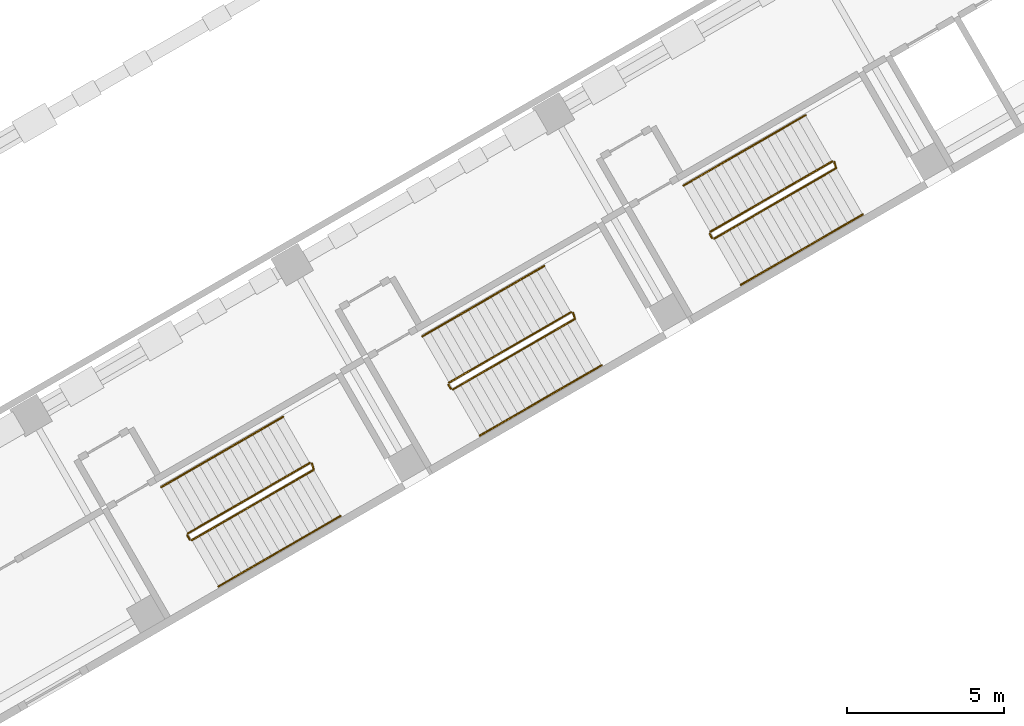
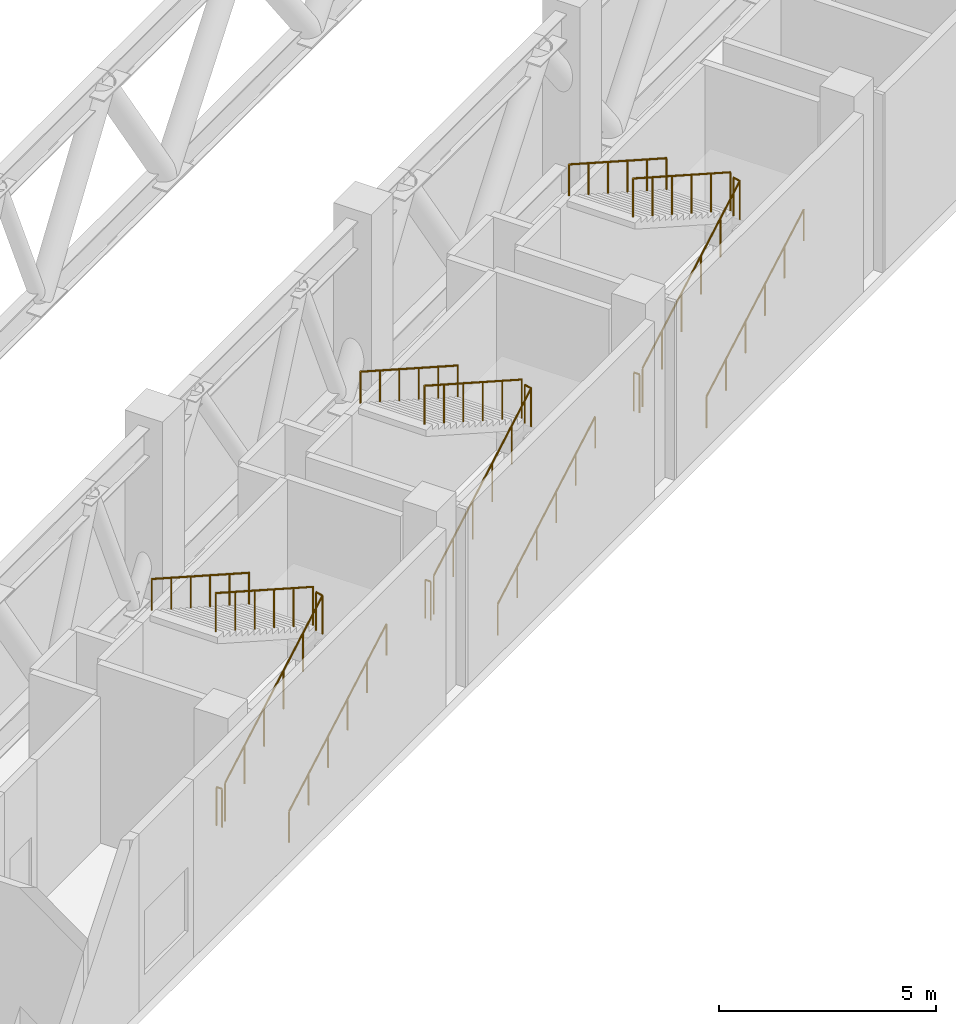
# One storey, part 37 of 37: 15 railings.
"""IFC4 building model written with IfcOpenShell, lengths in metres."""

from ifc_helpers import new_model, si_unit, direction, frame, origin, origin_2d, place, context, subcontext, project, spatial, circle, extrude, material, type_object, element, save


model = new_model("IFC4")

# Units and contexts
model_context = context("Model", 3, precision=1e-05, world=origin(), true_north=direction((0.0, 1.0)))
body_context = subcontext(model_context, "Body", "Model", "MODEL_VIEW")
ifc_project = project(units=[si_unit("LENGTHUNIT", "METRE"), si_unit("AREAUNIT", "SQUARE_METRE"), si_unit("VOLUMEUNIT", "CUBIC_METRE"), si_unit("PLANEANGLEUNIT", "RADIAN"), si_unit("MASSUNIT", "GRAM", prefix="KILO")], contexts=[model_context])

# Site, building, storey
site_placement = place(None, origin())
site = spatial("IfcSite", under=ifc_project, at=site_placement, CompositionType="ELEMENT")
building_placement = place(site_placement, origin())
building = spatial("IfcBuilding", under=site, at=building_placement, Name="Mestral Congress Tower", CompositionType="ELEMENT")
storey_placement = place(building_placement, frame((0.0, 0.0, 16.199951171875)))
storey = spatial("IfcBuildingStorey", under=building, at=storey_placement, Name="L03", CompositionType="ELEMENT", Elevation=16.199951171875)

# Railings
ifc_material_1 = material(Name="Steel balustrade", Category="steel")
railing_type_1 = type_object("IfcRailingType", Name="Podium stair guard 1100", PredefinedType="GUARDRAIL", material=ifc_material_1)
railing_1_placement = place(storey_placement, frame((51.889892578125, -13.919921875, 0.158935546875)))
element("IfcRailing", 1, at=railing_1_placement, inside=storey, type_object=railing_type_1, Name="L03 PS-E1 stair guard 1", PredefinedType="GUARDRAIL", context=body_context, shape_type="SweptSolid", body=[
    extrude(circle(Radius=0.02392578125, at=origin_2d()), frame((0.0, 0.0, 1.076171875), z_axis=(0.753299937478, 0.434906048726, 0.493351733531), x_axis=(-0.499989762656, 0.866031314237, 0.0)), (0.0, 0.0, 1.0), 5.150634765625),
    extrude(circle(Radius=0.02392578125, at=origin_2d()), frame((3.8798828125, 2.239990234375, 3.6171875), z_axis=(-0.274721127897, 0.961523947641, 0.0), x_axis=(-0.961523947641, -0.274721127897, 0.0)), (0.0, 0.0, 1.0), 0.2060546875),
    extrude(circle(Radius=0.02099609375, at=origin_2d()), origin(), (0.0, 0.0, 1.0), 1.052001953125),
    extrude(circle(Radius=0.02099609375, at=origin_2d()), frame((0.77587890625, 0.447998046875, 0.50830078125)), (0.0, 0.0, 1.0), 1.052001953125),
    extrude(circle(Radius=0.02099609375, at=origin_2d()), frame((1.552001953125, 0.89599609375, 1.016357421875)), (0.0, 0.0, 1.0), 1.052001953125),
    extrude(circle(Radius=0.02099609375, at=origin_2d()), frame((2.327880859375, 1.343994140625, 1.524658203125)), (0.0, 0.0, 1.0), 1.052001953125),
    extrude(circle(Radius=0.02099609375, at=origin_2d()), frame((3.10400390625, 1.7919921875, 2.03271484375)), (0.0, 0.0, 1.0), 1.052001953125),
    extrude(circle(Radius=0.02099609375, at=origin_2d()), frame((3.8798828125, 2.239990234375, 2.541015625)), (0.0, 0.0, 1.0), 1.052001953125),
    extrude(circle(Radius=0.02099609375, at=origin_2d()), frame((3.8232421875, 2.438232421875, 2.541015625)), (0.0, 0.0, 1.0), 1.052001953125),
])
railing_2_placement = place(storey_placement, frame((55.644775390625, -11.46337890625, 2.85888671875)))
element("IfcRailing", 2, at=railing_2_placement, inside=storey, type_object=railing_type_1, Name="L03 PS-E1 stair guard 2", PredefinedType="GUARDRAIL", context=body_context, shape_type="SweptSolid", body=[
    extrude(circle(Radius=0.02392578125, at=origin_2d()), frame((0.0, 0.0, 1.076171875), z_axis=(-0.753282320979, -0.434895878114, 0.493387596216), x_axis=(0.499989762656, -0.866031314237, 0.0)), (0.0, 0.0, 1.0), 5.150634765625),
    extrude(circle(Radius=0.02099609375, at=origin_2d()), origin(), (0.0, 0.0, 1.0), 1.052001953125),
    extrude(circle(Radius=0.02099609375, at=origin_2d()), frame((-0.77587890625, -0.447998046875, 0.50830078125)), (0.0, 0.0, 1.0), 1.052001953125),
    extrude(circle(Radius=0.02099609375, at=origin_2d()), frame((-1.552001953125, -0.89599609375, 1.0166015625)), (0.0, 0.0, 1.0), 1.052001953125),
    extrude(circle(Radius=0.02099609375, at=origin_2d()), frame((-2.327880859375, -1.343994140625, 1.524658203125)), (0.0, 0.0, 1.0), 1.052001953125),
    extrude(circle(Radius=0.02099609375, at=origin_2d()), frame((-3.10400390625, -1.7919921875, 2.032958984375)), (0.0, 0.0, 1.0), 1.052001953125),
    extrude(circle(Radius=0.02099609375, at=origin_2d()), frame((-3.8798828125, -2.239990234375, 2.541259765625)), (0.0, 0.0, 1.0), 1.052001953125),
])
railing_3_placement = place(storey_placement, frame((51.821533203125, -13.901611328125, 0.0)))
element("IfcRailing", 3, at=railing_3_placement, inside=storey, type_object=railing_type_1, Name="L03 PS-E1 stair guard 3", PredefinedType="GUARDRAIL", context=body_context, shape_type="SweptSolid", body=[
    extrude(circle(Radius=0.02392578125, at=origin_2d()), frame((0.0, 0.0, 1.076171875), z_axis=(-0.499816412211, 0.866131372301, 0.0), x_axis=(-0.866131372301, -0.499816412211, 0.0)), (0.0, 0.0, 1.0), 0.14990234375),
    extrude(circle(Radius=0.02099609375, at=origin_2d()), origin(), (0.0, 0.0, 1.0), 1.052001953125),
    extrude(circle(Radius=0.02099609375, at=origin_2d()), frame((-0.074951171875, 0.1298828125, 0.0)), (0.0, 0.0, 1.0), 1.052001953125),
])
railing_4_placement = place(storey_placement, frame((60.203857421875, -9.119873046875, 0.158935546875)))
element("IfcRailing", 4, at=railing_4_placement, inside=storey, type_object=railing_type_1, Name="L03 PS-E2 stair guard 1", PredefinedType="GUARDRAIL", context=body_context, shape_type="SweptSolid", body=[
    extrude(circle(Radius=0.02392578125, at=origin_2d()), frame((0.0, 0.0, 1.076171875), z_axis=(0.7532794335, 0.434921578401, 0.49336935019), x_axis=(-0.500013360201, 0.866017690131, 0.0)), (0.0, 0.0, 1.0), 5.150390625),
    extrude(circle(Radius=0.02392578125, at=origin_2d()), frame((3.879638671875, 2.239990234375, 3.6171875), z_axis=(-0.274721127897, 0.961523947641, 0.0), x_axis=(-0.961523947641, -0.274721127897, 0.0)), (0.0, 0.0, 1.0), 0.2060546875),
    extrude(circle(Radius=0.02099609375, at=origin_2d()), origin(), (0.0, 0.0, 1.0), 1.052001953125),
    extrude(circle(Radius=0.02099609375, at=origin_2d()), frame((0.77587890625, 0.447998046875, 0.50830078125)), (0.0, 0.0, 1.0), 1.052001953125),
    extrude(circle(Radius=0.02099609375, at=origin_2d()), frame((1.5517578125, 0.89599609375, 1.016357421875)), (0.0, 0.0, 1.0), 1.052001953125),
    extrude(circle(Radius=0.02099609375, at=origin_2d()), frame((2.327880859375, 1.343994140625, 1.524658203125)), (0.0, 0.0, 1.0), 1.052001953125),
    extrude(circle(Radius=0.02099609375, at=origin_2d()), frame((3.103759765625, 1.7919921875, 2.03271484375)), (0.0, 0.0, 1.0), 1.052001953125),
    extrude(circle(Radius=0.02099609375, at=origin_2d()), frame((3.879638671875, 2.239990234375, 2.541015625)), (0.0, 0.0, 1.0), 1.052001953125),
    extrude(circle(Radius=0.02099609375, at=origin_2d()), frame((3.822998046875, 2.438232421875, 2.541015625)), (0.0, 0.0, 1.0), 1.052001953125),
])
railing_5_placement = place(storey_placement, frame((63.95849609375, -6.663330078125, 2.85888671875)))
element("IfcRailing", 5, at=railing_5_placement, inside=storey, type_object=railing_type_1, Name="L03 PS-E2 stair guard 2", PredefinedType="GUARDRAIL", context=body_context, shape_type="SweptSolid", body=[
    extrude(circle(Radius=0.02392578125, at=origin_2d()), frame((0.0, 0.0, 1.076171875), z_axis=(-0.753246286929, -0.434949841348, 0.493395041259), x_axis=(0.500054230829, -0.865994091337, 0.0)), (0.0, 0.0, 1.0), 5.150634765625),
    extrude(circle(Radius=0.02099609375, at=origin_2d()), origin(), (0.0, 0.0, 1.0), 1.052001953125),
    extrude(circle(Radius=0.02099609375, at=origin_2d()), frame((-0.77587890625, -0.447998046875, 0.50830078125)), (0.0, 0.0, 1.0), 1.052001953125),
    extrude(circle(Radius=0.02099609375, at=origin_2d()), frame((-1.5517578125, -0.89599609375, 1.0166015625)), (0.0, 0.0, 1.0), 1.052001953125),
    extrude(circle(Radius=0.02099609375, at=origin_2d()), frame((-2.327880859375, -1.34423828125, 1.524658203125)), (0.0, 0.0, 1.0), 1.052001953125),
    extrude(circle(Radius=0.02099609375, at=origin_2d()), frame((-3.103759765625, -1.792236328125, 2.032958984375)), (0.0, 0.0, 1.0), 1.052001953125),
    extrude(circle(Radius=0.02099609375, at=origin_2d()), frame((-3.879638671875, -2.240234375, 2.541259765625)), (0.0, 0.0, 1.0), 1.052001953125),
])
railing_6_placement = place(storey_placement, frame((60.135498046875, -9.1015625, 0.0)))
element("IfcRailing", 6, at=railing_6_placement, inside=storey, type_object=railing_type_1, Name="L03 PS-E2 stair guard 3", PredefinedType="GUARDRAIL", context=body_context, shape_type="SweptSolid", body=[
    extrude(circle(Radius=0.02392578125, at=origin_2d()), frame((0.0, 0.0, 1.076171875), z_axis=(-0.499816412211, 0.866131372301, 0.0), x_axis=(-0.866131372301, -0.499816412211, 0.0)), (0.0, 0.0, 1.0), 0.14990234375),
    extrude(circle(Radius=0.02099609375, at=origin_2d()), origin(), (0.0, 0.0, 1.0), 1.052001953125),
    extrude(circle(Radius=0.02099609375, at=origin_2d()), frame((-0.074951171875, 0.1298828125, 0.0)), (0.0, 0.0, 1.0), 1.052001953125),
])
railing_7_placement = place(storey_placement, frame((68.517578125, -4.320068359375, 0.158935546875)))
element("IfcRailing", 7, at=railing_7_placement, inside=storey, type_object=railing_type_1, Name="L03 PS-E3 stair guard 1", PredefinedType="GUARDRAIL", context=body_context, shape_type="SweptSolid", body=[
    extrude(circle(Radius=0.02392578125, at=origin_2d()), frame((0.0, 0.0, 1.076171875), z_axis=(0.75328440778, 0.434944483123, 0.49334156281), x_axis=(-0.500030632641, 0.866007717299, 0.0)), (0.0, 0.0, 1.0), 5.150634765625),
    extrude(circle(Radius=0.02392578125, at=origin_2d()), frame((3.8798828125, 2.240234375, 3.6171875), z_axis=(-0.276129543174, 0.961120427099, 0.0), x_axis=(-0.961120427099, -0.276129543174, 0.0)), (0.0, 0.0, 1.0), 0.2060546875),
    extrude(circle(Radius=0.02099609375, at=origin_2d()), origin(), (0.0, 0.0, 1.0), 1.052001953125),
    extrude(circle(Radius=0.02099609375, at=origin_2d()), frame((0.77587890625, 0.447998046875, 0.50830078125)), (0.0, 0.0, 1.0), 1.052001953125),
    extrude(circle(Radius=0.02099609375, at=origin_2d()), frame((1.552001953125, 0.89599609375, 1.016357421875)), (0.0, 0.0, 1.0), 1.052001953125),
    extrude(circle(Radius=0.02099609375, at=origin_2d()), frame((2.327880859375, 1.34423828125, 1.524658203125)), (0.0, 0.0, 1.0), 1.052001953125),
    extrude(circle(Radius=0.02099609375, at=origin_2d()), frame((3.10400390625, 1.792236328125, 2.03271484375)), (0.0, 0.0, 1.0), 1.052001953125),
    extrude(circle(Radius=0.02099609375, at=origin_2d()), frame((3.8798828125, 2.240234375, 2.541015625)), (0.0, 0.0, 1.0), 1.052001953125),
    extrude(circle(Radius=0.02099609375, at=origin_2d()), frame((3.822998046875, 2.438232421875, 2.541015625)), (0.0, 0.0, 1.0), 1.052001953125),
])
railing_8_placement = place(storey_placement, frame((72.2724609375, -1.863525390625, 2.85888671875)))
element("IfcRailing", 8, at=railing_8_placement, inside=storey, type_object=railing_type_1, Name="L03 PS-E3 stair guard 2", PredefinedType="GUARDRAIL", context=body_context, shape_type="SweptSolid", body=[
    extrude(circle(Radius=0.02392578125, at=origin_2d()), frame((0.0, 0.0, 1.076171875), z_axis=(-0.753282320979, -0.434895878114, 0.493387596216), x_axis=(0.499989762656, -0.866031314237, 0.0)), (0.0, 0.0, 1.0), 5.150634765625),
    extrude(circle(Radius=0.02099609375, at=origin_2d()), origin(), (0.0, 0.0, 1.0), 1.052001953125),
    extrude(circle(Radius=0.02099609375, at=origin_2d()), frame((-0.77587890625, -0.447998046875, 0.50830078125)), (0.0, 0.0, 1.0), 1.052001953125),
    extrude(circle(Radius=0.02099609375, at=origin_2d()), frame((-1.552001953125, -0.89599609375, 1.0166015625)), (0.0, 0.0, 1.0), 1.052001953125),
    extrude(circle(Radius=0.02099609375, at=origin_2d()), frame((-2.327880859375, -1.343994140625, 1.524658203125)), (0.0, 0.0, 1.0), 1.052001953125),
    extrude(circle(Radius=0.02099609375, at=origin_2d()), frame((-3.10400390625, -1.7919921875, 2.032958984375)), (0.0, 0.0, 1.0), 1.052001953125),
    extrude(circle(Radius=0.02099609375, at=origin_2d()), frame((-3.8798828125, -2.239990234375, 2.541259765625)), (0.0, 0.0, 1.0), 1.052001953125),
])
railing_9_placement = place(storey_placement, frame((68.44921875, -4.3017578125, 0.0)))
element("IfcRailing", 9, at=railing_9_placement, inside=storey, type_object=railing_type_1, Name="L03 PS-E3 stair guard 3", PredefinedType="GUARDRAIL", context=body_context, shape_type="SweptSolid", body=[
    extrude(circle(Radius=0.02392578125, at=origin_2d()), frame((0.0, 0.0, 1.076171875), z_axis=(-0.499112439033, 0.866537231285, 0.0), x_axis=(-0.866537231285, -0.499112439033, 0.0)), (0.0, 0.0, 1.0), 0.150146484375),
    extrude(circle(Radius=0.02099609375, at=origin_2d()), origin(), (0.0, 0.0, 1.0), 1.052001953125),
    extrude(circle(Radius=0.02099609375, at=origin_2d()), frame((-0.074951171875, 0.130126953125, 0.0)), (0.0, 0.0, 1.0), 1.052001953125),
])
ifc_material_2 = material(Name="Steel handrail", Category="steel")
railing_type_2 = type_object("IfcRailingType", Name="Podium stair handrail 900", PredefinedType="HANDRAIL", material=ifc_material_2)
railing_10_placement = place(storey_placement, frame((52.739990234375, -15.39208984375, 0.158935546875)))
element("IfcRailing", 10, at=railing_10_placement, inside=storey, type_object=railing_type_2, Name="L03 PS-E1 stair handrail 1", PredefinedType="HANDRAIL", context=body_context, shape_type="SweptSolid", body=[
    extrude(circle(Radius=0.02392578125, at=origin_2d()), frame((0.0, 0.0, 0.8759765625), z_axis=(0.7532794335, 0.434921578401, 0.49336935019), x_axis=(-0.500013360201, 0.866017690131, 0.0)), (0.0, 0.0, 1.0), 5.150390625),
    extrude(circle(Radius=0.02099609375, at=origin_2d()), origin(), (0.0, 0.0, 1.0), 0.851806640625),
    extrude(circle(Radius=0.02099609375, at=origin_2d()), frame((0.77587890625, 0.447998046875, 0.50830078125)), (0.0, 0.0, 1.0), 0.851806640625),
    extrude(circle(Radius=0.02099609375, at=origin_2d()), frame((1.5517578125, 0.89599609375, 1.016357421875)), (0.0, 0.0, 1.0), 0.851806640625),
    extrude(circle(Radius=0.02099609375, at=origin_2d()), frame((2.327880859375, 1.343994140625, 1.524658203125)), (0.0, 0.0, 1.0), 0.851806640625),
    extrude(circle(Radius=0.02099609375, at=origin_2d()), frame((3.103759765625, 1.7919921875, 2.03271484375)), (0.0, 0.0, 1.0), 0.851806640625),
    extrude(circle(Radius=0.02099609375, at=origin_2d()), frame((3.879638671875, 2.239990234375, 2.541015625)), (0.0, 0.0, 1.0), 0.851806640625),
])
railing_11_placement = place(storey_placement, frame((54.794677734375, -9.9912109375, 2.85888671875)))
element("IfcRailing", 11, at=railing_11_placement, inside=storey, type_object=railing_type_2, Name="L03 PS-E1 stair handrail 2", PredefinedType="HANDRAIL", context=body_context, shape_type="SweptSolid", body=[
    extrude(circle(Radius=0.02392578125, at=origin_2d()), frame((0.0, 0.0, 0.8759765625), z_axis=(-0.753261816223, -0.434911406699, 0.493405213332), x_axis=(0.500013360201, -0.866017690131, 0.0)), (0.0, 0.0, 1.0), 5.150390625),
    extrude(circle(Radius=0.02099609375, at=origin_2d()), origin(), (0.0, 0.0, 1.0), 0.851806640625),
    extrude(circle(Radius=0.02099609375, at=origin_2d()), frame((-0.77587890625, -0.447998046875, 0.50830078125)), (0.0, 0.0, 1.0), 0.851806640625),
    extrude(circle(Radius=0.02099609375, at=origin_2d()), frame((-1.5517578125, -0.89599609375, 1.0166015625)), (0.0, 0.0, 1.0), 0.851806640625),
    extrude(circle(Radius=0.02099609375, at=origin_2d()), frame((-2.327880859375, -1.343994140625, 1.524658203125)), (0.0, 0.0, 1.0), 0.851806640625),
    extrude(circle(Radius=0.02099609375, at=origin_2d()), frame((-3.103759765625, -1.7919921875, 2.032958984375)), (0.0, 0.0, 1.0), 0.851806640625),
    extrude(circle(Radius=0.02099609375, at=origin_2d()), frame((-3.879638671875, -2.239990234375, 2.541259765625)), (0.0, 0.0, 1.0), 0.851806640625),
])
railing_12_placement = place(storey_placement, frame((61.0537109375, -10.59228515625, 0.158935546875)))
element("IfcRailing", 12, at=railing_12_placement, inside=storey, type_object=railing_type_2, Name="L03 PS-E2 stair handrail 1", PredefinedType="HANDRAIL", context=body_context, shape_type="SweptSolid", body=[
    extrude(circle(Radius=0.02392578125, at=origin_2d()), frame((0.0, 0.0, 0.8759765625), z_axis=(0.753299937478, 0.434906048726, 0.493351733531), x_axis=(-0.499989762656, 0.866031314237, 0.0)), (0.0, 0.0, 1.0), 5.150634765625),
    extrude(circle(Radius=0.02099609375, at=origin_2d()), origin(), (0.0, 0.0, 1.0), 0.851806640625),
    extrude(circle(Radius=0.02099609375, at=origin_2d()), frame((0.77587890625, 0.447998046875, 0.50830078125)), (0.0, 0.0, 1.0), 0.851806640625),
    extrude(circle(Radius=0.02099609375, at=origin_2d()), frame((1.552001953125, 0.89599609375, 1.016357421875)), (0.0, 0.0, 1.0), 0.851806640625),
    extrude(circle(Radius=0.02099609375, at=origin_2d()), frame((2.327880859375, 1.343994140625, 1.524658203125)), (0.0, 0.0, 1.0), 0.851806640625),
    extrude(circle(Radius=0.02099609375, at=origin_2d()), frame((3.10400390625, 1.7919921875, 2.03271484375)), (0.0, 0.0, 1.0), 0.851806640625),
    extrude(circle(Radius=0.02099609375, at=origin_2d()), frame((3.8798828125, 2.239990234375, 2.541015625)), (0.0, 0.0, 1.0), 0.851806640625),
])
railing_13_placement = place(storey_placement, frame((63.108642578125, -5.191162109375, 2.85888671875)))
element("IfcRailing", 13, at=railing_13_placement, inside=storey, type_object=railing_type_2, Name="L03 PS-E2 stair handrail 2", PredefinedType="HANDRAIL", context=body_context, shape_type="SweptSolid", body=[
    extrude(circle(Radius=0.02392578125, at=origin_2d()), frame((0.0, 0.0, 0.8759765625), z_axis=(-0.753282320979, -0.434895878114, 0.493387596216), x_axis=(0.499989762656, -0.866031314237, 0.0)), (0.0, 0.0, 1.0), 5.150634765625),
    extrude(circle(Radius=0.02099609375, at=origin_2d()), origin(), (0.0, 0.0, 1.0), 0.851806640625),
    extrude(circle(Radius=0.02099609375, at=origin_2d()), frame((-0.77587890625, -0.447998046875, 0.50830078125)), (0.0, 0.0, 1.0), 0.851806640625),
    extrude(circle(Radius=0.02099609375, at=origin_2d()), frame((-1.552001953125, -0.89599609375, 1.0166015625)), (0.0, 0.0, 1.0), 0.851806640625),
    extrude(circle(Radius=0.02099609375, at=origin_2d()), frame((-2.327880859375, -1.343994140625, 1.524658203125)), (0.0, 0.0, 1.0), 0.851806640625),
    extrude(circle(Radius=0.02099609375, at=origin_2d()), frame((-3.10400390625, -1.7919921875, 2.032958984375)), (0.0, 0.0, 1.0), 0.851806640625),
    extrude(circle(Radius=0.02099609375, at=origin_2d()), frame((-3.8798828125, -2.239990234375, 2.541259765625)), (0.0, 0.0, 1.0), 0.851806640625),
])
railing_14_placement = place(storey_placement, frame((69.367431640625, -5.792236328125, 0.158935546875)))
element("IfcRailing", 14, at=railing_14_placement, inside=storey, type_object=railing_type_2, Name="L03 PS-E3 stair handrail 1", PredefinedType="HANDRAIL", context=body_context, shape_type="SweptSolid", body=[
    extrude(circle(Radius=0.02392578125, at=origin_2d()), frame((0.0, 0.0, 0.8759765625), z_axis=(0.753299937478, 0.434906048726, 0.493351733531), x_axis=(-0.499989762656, 0.866031314237, 0.0)), (0.0, 0.0, 1.0), 5.150634765625),
    extrude(circle(Radius=0.02099609375, at=origin_2d()), origin(), (0.0, 0.0, 1.0), 0.851806640625),
    extrude(circle(Radius=0.02099609375, at=origin_2d()), frame((0.77587890625, 0.447998046875, 0.50830078125)), (0.0, 0.0, 1.0), 0.851806640625),
    extrude(circle(Radius=0.02099609375, at=origin_2d()), frame((1.552001953125, 0.89599609375, 1.016357421875)), (0.0, 0.0, 1.0), 0.851806640625),
    extrude(circle(Radius=0.02099609375, at=origin_2d()), frame((2.327880859375, 1.343994140625, 1.524658203125)), (0.0, 0.0, 1.0), 0.851806640625),
    extrude(circle(Radius=0.02099609375, at=origin_2d()), frame((3.10400390625, 1.7919921875, 2.03271484375)), (0.0, 0.0, 1.0), 0.851806640625),
    extrude(circle(Radius=0.02099609375, at=origin_2d()), frame((3.8798828125, 2.239990234375, 2.541015625)), (0.0, 0.0, 1.0), 0.851806640625),
])
railing_15_placement = place(storey_placement, frame((71.42236328125, -0.39111328125, 2.85888671875)))
element("IfcRailing", 15, at=railing_15_placement, inside=storey, type_object=railing_type_2, Name="L03 PS-E3 stair handrail 2", PredefinedType="HANDRAIL", context=body_context, shape_type="SweptSolid", body=[
    extrude(circle(Radius=0.02392578125, at=origin_2d()), frame((0.0, 0.0, 0.8759765625), z_axis=(-0.753282320979, -0.434895878114, 0.493387596216), x_axis=(0.499989762656, -0.866031314237, 0.0)), (0.0, 0.0, 1.0), 5.150634765625),
    extrude(circle(Radius=0.02099609375, at=origin_2d()), origin(), (0.0, 0.0, 1.0), 0.851806640625),
    extrude(circle(Radius=0.02099609375, at=origin_2d()), frame((-0.77587890625, -0.447998046875, 0.50830078125)), (0.0, 0.0, 1.0), 0.851806640625),
    extrude(circle(Radius=0.02099609375, at=origin_2d()), frame((-1.552001953125, -0.89599609375, 1.0166015625)), (0.0, 0.0, 1.0), 0.851806640625),
    extrude(circle(Radius=0.02099609375, at=origin_2d()), frame((-2.327880859375, -1.343994140625, 1.524658203125)), (0.0, 0.0, 1.0), 0.851806640625),
    extrude(circle(Radius=0.02099609375, at=origin_2d()), frame((-3.10400390625, -1.7919921875, 2.032958984375)), (0.0, 0.0, 1.0), 0.851806640625),
    extrude(circle(Radius=0.02099609375, at=origin_2d()), frame((-3.8798828125, -2.239990234375, 2.541259765625)), (0.0, 0.0, 1.0), 0.851806640625),
])

save(model, "model.ifc")
